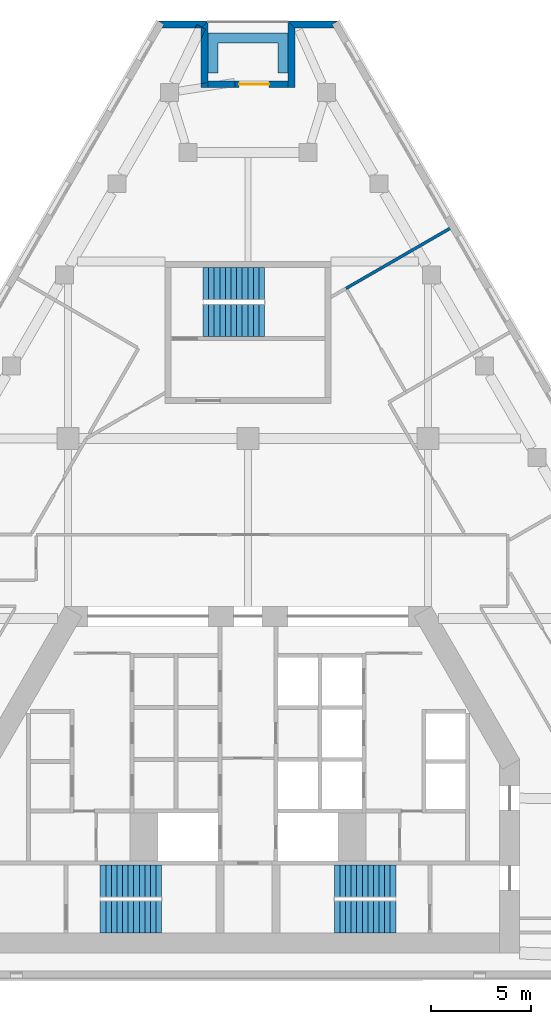
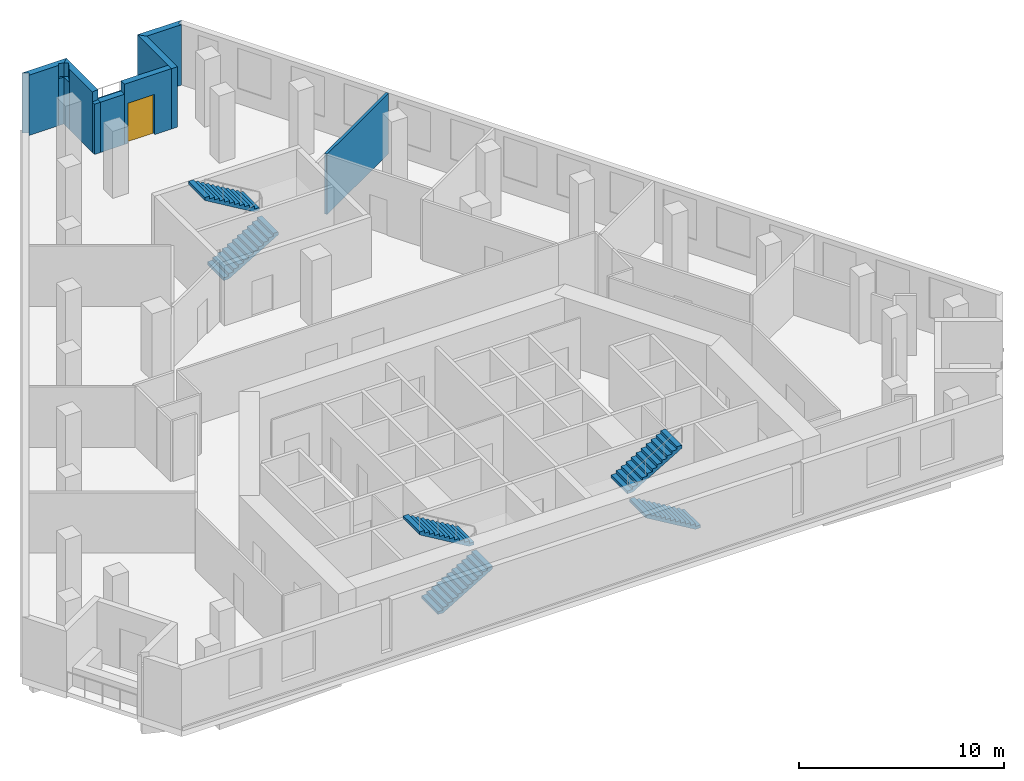
# One storey, part 8 of 9: 11 walls, 6 stair flights, 1 door, 1 opening, 3 elements without a shape of their own.
"""IFC4 building model written with IfcOpenShell, lengths in metres."""

from ifc_helpers import new_model, si_unit, direction, frame, frame_2d, origin, place, context, subcontext, project, spatial, polyline, rectangle, outline, extrude, material, layer, layer_set, type_object, element, fill, aggregate, save


model = new_model("IFC4")

# Units and contexts
model_context = context("Model", 3, precision=1e-05, world=origin(), true_north=direction((0.0, 1.0)))
body_context = subcontext(model_context, "Body", "Model", "MODEL_VIEW")
ifc_project = project(units=[si_unit("LENGTHUNIT", "METRE"), si_unit("AREAUNIT", "SQUARE_METRE"), si_unit("VOLUMEUNIT", "CUBIC_METRE"), si_unit("PLANEANGLEUNIT", "RADIAN"), si_unit("MASSUNIT", "GRAM", prefix="KILO")], contexts=[model_context])

# Site, building, storey
site_placement = place(None, origin())
site = spatial("IfcSite", under=ifc_project, at=site_placement, CompositionType="ELEMENT")
building_placement = place(site_placement, origin())
building = spatial("IfcBuilding", under=site, at=building_placement, Name="Fogline Exchange Tower", CompositionType="ELEMENT")
storey_placement = place(building_placement, frame((0.0, 0.0, 194.10009765625)))
storey = spatial("IfcBuildingStorey", under=building, at=storey_placement, Name="L43", CompositionType="ELEMENT", Elevation=194.10009765625)

# Walls
ifc_material_1 = material(Name="Brick masonry", Category="masonry")
ifc_layer_1 = layer(ifc_material_1, 0.340087890625)
ifc_layer_set_1 = layer_set([ifc_layer_1], Name="FW1")
wall_type_1 = type_object("IfcWallType", Name="FW1", PredefinedType="SOLIDWALL", material=ifc_layer_set_1)
wall_1_placement = place(storey_placement, origin())
element("IfcWall", 1, at=wall_1_placement, inside=storey, type_object=wall_type_1, Name="Brick wall L43 N-c1", PredefinedType="SOLIDWALL", context=body_context, shape_type="SweptSolid", body=[
    extrude(outline(polyline([(1.9990234375, 47.9072265625), (4.5009765625, 47.9072265625), (4.501220703125, 47.90673828125), (4.206298828125, 47.736328125), (4.3046875, 47.566162109375), (2.33984375, 47.566162109375), (1.998779296875, 47.906982421875), (1.9990234375, 47.9072265625)])), origin(), (0.0, 0.0, 1.0), 3.599853515625),
])
wall_2_placement = place(storey_placement, origin())
element("IfcWall", 2, at=wall_2_placement, inside=storey, type_object=wall_type_1, Name="Brick wall L43 N-s1", PredefinedType="SOLIDWALL", context=body_context, shape_type="SweptSolid", body=[
    extrude(outline(polyline([(2.340576171875, 44.566162109375), (1.99951171875, 44.566162109375), (1.99951171875, 47.90771484375), (1.999755859375, 47.90771484375), (2.340576171875, 47.56689453125), (2.340576171875, 44.566162109375)])), origin(), (0.0, 0.0, 1.0), 3.599853515625),
])

# Wall, opening, door
wall_3_placement = place(storey_placement, frame((2.0, 44.736572265625, 0.0), z_axis=(0.0, 0.0, 1.0), x_axis=(-1.0, 0.0, 0.0)))
wall_3 = element("IfcWall", 3, at=wall_3_placement, inside=storey, type_object=wall_type_1, Name="Brick wall L43 N-bk", PredefinedType="SOLIDWALL", context=body_context, shape_type="SweptSolid", body=[
    extrude(rectangle(XDim=2.64892578125, YDim=0.340087890625, at=frame_2d((1.324462890625, 0.0))), origin(), (0.0, 0.0, 1.0), 3.599853515625),
])
opening_placement = place(wall_3_placement, frame((0.948974609375, 0.0, 0.0)))
opening = element("IfcOpeningElement", 4, at=opening_placement, cuts=wall_3, Name="Opening T14-E141", PredefinedType="OPENING", context=body_context, shape_type="SweptSolid", body=[
    extrude(rectangle(XDim=1.5, YDim=2.39990234375, at=frame_2d((0.75, 1.199951171875))), frame((0.0, 0.18017578125, 0.0), z_axis=(0.0, -1.0, 0.0), x_axis=(1.0, 0.0, 0.0)), (0.0, 0.0, 1.0), 0.360107421875),
])
ifc_material_2 = material(Name="Aluminium and glass", Category="aluminium")
door_type = type_object("IfcDoorType", Name="ED4", OperationType="SINGLE_SWING_LEFT", PredefinedType="DOOR", material=ifc_material_2)
door_placement = place(opening_placement, frame((1.5, 0.0, 0.0), z_axis=(0.0, 0.0, 1.0), x_axis=(-1.0, 0.0, 0.0)))
door = element("IfcDoor", 5, at=door_placement, inside=storey, type_object=door_type, Name="Balcony door L43 N", OperationType="DOUBLE_DOOR_SINGLE_SWING", OverallHeight=2.39990234375, OverallWidth=1.5, PredefinedType="DOOR", context=body_context, shape_type="SweptSolid", body=[
    extrude(rectangle(XDim=1.5, YDim=2.39990234375, at=frame_2d((0.75, 1.199951171875))), frame((0.0, 0.02490234375, 0.0), z_axis=(0.0, -1.0, 0.0), x_axis=(1.0, 0.0, 0.0)), (0.0, 0.0, 1.0), 0.050048828125),
])
fill(opening, door)

# Walls
wall_4_placement = place(storey_placement, frame((-0.64892578125, 44.736572265625, 0.0), z_axis=(0.0, 0.0, 1.0), x_axis=(-1.0, 0.0, 0.0)))
element("IfcWall", 6, at=wall_4_placement, inside=storey, type_object=wall_type_1, Name="Brick wall L43 N-bk", PredefinedType="SOLIDWALL", context=body_context, shape_type="SweptSolid", body=[
    extrude(rectangle(XDim=1.35107421875, YDim=0.340087890625, at=frame_2d((0.675537109375, 0.0))), origin(), (0.0, 0.0, 1.0), 3.0),
])
wall_5_placement = place(storey_placement, origin())
element("IfcWall", 7, at=wall_5_placement, inside=storey, type_object=wall_type_1, Name="Brick wall L43 N-s2", PredefinedType="SOLIDWALL", context=body_context, shape_type="SweptSolid", body=[
    extrude(outline(polyline([(-2.340576171875, 47.56689453125), (-2.31005859375, 47.597412109375), (-2.11474609375, 47.503173828125), (-2.340576171875, 47.03466796875), (-2.340576171875, 47.56689453125)])), origin(), (0.0, 0.0, 1.0), 2.7998046875),
])
wall_6_placement = place(storey_placement, origin())
element("IfcWall", 8, at=wall_6_placement, inside=storey, type_object=wall_type_1, Name="Brick wall L43 N-s2", PredefinedType="SOLIDWALL", context=body_context, shape_type="SweptSolid", body=[
    extrude(outline(polyline([(-2.340576171875, 44.566162109375), (-2.340576171875, 44.774658203125), (-1.99951171875, 44.82763671875), (-1.99951171875, 44.566162109375), (-2.340576171875, 44.566162109375)])), origin(), (0.0, 0.0, 1.0), 3.0),
])
wall_7_placement = place(storey_placement, origin())
element("IfcWall", 9, at=wall_7_placement, inside=storey, type_object=wall_type_1, Name="Brick wall L43 N-s2", PredefinedType="SOLIDWALL", context=body_context, shape_type="SweptSolid", body=[
    extrude(outline(polyline([(-2.340576171875, 47.03466796875), (-2.11474609375, 47.503173828125), (-2.31005859375, 47.597412109375), (-1.999755859375, 47.90771484375), (-1.99951171875, 47.90771484375), (-1.99951171875, 44.82763671875), (-2.340576171875, 44.774658203125), (-2.340576171875, 47.03466796875)])), origin(), (0.0, 0.0, 1.0), 3.599853515625),
])
wall_8_placement = place(storey_placement, origin())
element("IfcWall", 10, at=wall_8_placement, inside=storey, type_object=wall_type_1, Name="Brick wall L43 N-c2", PredefinedType="SOLIDWALL", context=body_context, shape_type="SweptSolid", body=[
    extrude(outline(polyline([(-2.33984375, 47.566162109375), (-2.6396484375, 47.566162109375), (-2.565185546875, 47.72021484375), (-2.30908203125, 47.596923828125), (-2.33984375, 47.566162109375)])), origin(), (0.0, 0.0, 1.0), 2.7998046875),
])
wall_9_placement = place(storey_placement, origin())
element("IfcWall", 11, at=wall_9_placement, inside=storey, type_object=wall_type_1, Name="Brick wall L43 N-c2", PredefinedType="SOLIDWALL", context=body_context, shape_type="SweptSolid", body=[
    extrude(outline(polyline([(-4.206298828125, 47.736328125), (-4.501220703125, 47.90673828125), (-4.5009765625, 47.9072265625), (-1.9990234375, 47.9072265625), (-1.998779296875, 47.906982421875), (-2.30908203125, 47.596923828125), (-2.565185546875, 47.72021484375), (-2.6396484375, 47.566162109375), (-4.3046875, 47.566162109375), (-4.206298828125, 47.736328125)])), origin(), (0.0, 0.0, 1.0), 3.599853515625),
])
ifc_material_3 = material(Name="Concrete C30", Category="concrete")
ifc_layer_2 = layer(ifc_material_3, 0.199951171875)
ifc_layer_set_2 = layer_set([ifc_layer_2], Name="PL1")
wall_type_2 = type_object("IfcWallType", Name="PL1", PredefinedType="USERDEFINED", material=ifc_layer_set_2)
wall_10_placement = place(storey_placement, origin())
element("IfcWall", 12, at=wall_10_placement, inside=storey, type_object=wall_type_2, Name="PLANTER balcony L43 N", ObjectType="PLANTER", PredefinedType="USERDEFINED", context=body_context, shape_type="SweptSolid", body=[
    extrude(outline(polyline([(-1.5, 47.306640625), (-2.0, 47.306640625), (-2.0, 46.806640625), (-2.0, 45.306640625), (-1.5, 45.306640625), (-1.5, 46.806640625), (1.5, 46.806640625), (1.5, 45.306640625), (2.0, 45.306640625), (2.0, 46.806640625), (2.0, 47.306640625), (1.5, 47.306640625), (-1.5, 47.306640625)])), origin(), (0.0, 0.0, 1.0), 1.099853515625),
])
ifc_material_4 = material(Name="Plasterboard demising partition with mineral wool and acoustic board")
ifc_layer_3 = layer(ifc_material_4, 0.14990234375)
ifc_layer_set_3 = layer_set([ifc_layer_3], Name="PW3")
wall_type_3 = type_object("IfcWallType", Name="PW3", PredefinedType="PARTITIONING", material=ifc_layer_set_3)
wall_11_placement = place(storey_placement, frame((4.9072265625, 34.52099609375, 0.0), z_axis=(0.0, 0.0, 1.0), x_axis=(0.866031096941, 0.499990139034, 0.0)))
element("IfcWall", 13, at=wall_11_placement, inside=storey, type_object=wall_type_3, Name="wall-L43-W026", PredefinedType="PARTITIONING", context=body_context, shape_type="SweptSolid", body=[
    extrude(rectangle(XDim=6.0, YDim=0.14990234375, at=frame_2d((3.0, 0.0))), origin(), (0.0, 0.0, 1.0), 3.599853515625),
])

# Stair, stair flights
ifc_material_5 = material(Name="Concrete C40", Category="concrete")
stair_type = type_object("IfcStairType", Name="STR24-1667", PredefinedType="HALF_TURN_STAIR", material=ifc_material_5)
stair_1_placement = place(storey_placement, origin())
stair_1 = element("IfcStair", 14, at=stair_1_placement, inside=storey, type_object=stair_type, Name="Stair ST1", PredefinedType="HALF_TURN_STAIR")
stair_flight_type = type_object("IfcStairFlightType", Name="SF12-1667", PredefinedType="STRAIGHT", material=ifc_material_5)
stair_flight_1_placement = place(storey_placement, frame((-7.39990234375, 3.050048828125, 0.0), z_axis=(0.0, 0.0, 1.0), x_axis=(1.0, 0.0, 0.0)))
stair_flight_1 = element("IfcStairFlight", 15, at=stair_flight_1_placement, type_object=stair_flight_type, Name="ST1 flight 1", NumberOfRisers=12, NumberOfTreads=11, PredefinedType="STRAIGHT", RiserHeight=0.166666667, TreadLength=0.28, context=body_context, shape_type="SweptSolid", body=[
    extrude(outline(polyline([(0.0, 0.0), (0.0, 0.166748046875), (0.280029296875, 0.166748046875), (0.280029296875, 0.333251953125), (0.56005859375, 0.333251953125), (0.56005859375, 0.5), (0.840087890625, 0.5), (0.840087890625, 0.666748046875), (1.1201171875, 0.666748046875), (1.1201171875, 0.833251953125), (1.39990234375, 0.833251953125), (1.39990234375, 1.0), (1.679931640625, 1.0), (1.679931640625, 1.166748046875), (1.9599609375, 1.166748046875), (1.9599609375, 1.333251953125), (2.239990234375, 1.333251953125), (2.239990234375, 1.5), (2.52001953125, 1.5), (2.52001953125, 1.666748046875), (2.800048828125, 1.666748046875), (2.800048828125, 1.833251953125), (3.080078125, 1.833251953125), (3.080078125, 2.0), (3.080078125, 1.658935546875), (0.29296875, 0.0), (0.0, 0.0)])), frame((0.0, 0.800048828125, 0.0), z_axis=(0.0, -1.0, 0.0), x_axis=(1.0, 0.0, 0.0)), (0.0, 0.0, 1.0), 1.60009765625),
])
stair_flight_2_placement = place(storey_placement, frame((-4.320068359375, 4.85009765625, 2.0), z_axis=(0.0, 0.0, 1.0), x_axis=(-1.0, 0.0, 0.0)))
stair_flight_2 = element("IfcStairFlight", 16, at=stair_flight_2_placement, type_object=stair_flight_type, Name="ST1 flight 2", NumberOfRisers=12, NumberOfTreads=11, PredefinedType="STRAIGHT", RiserHeight=0.166666667, TreadLength=0.28, context=body_context, shape_type="SweptSolid", body=[
    extrude(outline(polyline([(0.0, 0.0), (0.0, 0.166748046875), (0.280029296875, 0.166748046875), (0.280029296875, 0.333251953125), (0.56005859375, 0.333251953125), (0.56005859375, 0.5), (0.840087890625, 0.5), (0.840087890625, 0.666748046875), (1.1201171875, 0.666748046875), (1.1201171875, 0.833251953125), (1.39990234375, 0.833251953125), (1.39990234375, 1.0), (1.679931640625, 1.0), (1.679931640625, 1.166748046875), (1.9599609375, 1.166748046875), (1.9599609375, 1.333251953125), (2.239990234375, 1.333251953125), (2.239990234375, 1.5), (2.52001953125, 1.5), (2.52001953125, 1.666748046875), (2.800048828125, 1.666748046875), (2.800048828125, 1.833251953125), (3.080078125, 1.833251953125), (3.080078125, 2.0), (3.080078125, 1.658935546875), (0.29296875, 0.0), (0.0, 0.0)])), frame((0.0, 0.800048828125, 0.0), z_axis=(0.0, -1.0, 0.0), x_axis=(1.0, 0.0, 0.0)), (0.0, 0.0, 1.0), 1.60009765625),
])
aggregate(stair_1, [stair_flight_1, stair_flight_2])

stair_2_placement = place(storey_placement, origin())
stair_2 = element("IfcStair", 17, at=stair_2_placement, inside=storey, type_object=stair_type, Name="Stair ST2", PredefinedType="HALF_TURN_STAIR")
stair_flight_3_placement = place(storey_placement, frame((7.39990234375, 3.050048828125, 0.0), z_axis=(0.0, 0.0, 1.0), x_axis=(-1.0, 0.0, 0.0)))
stair_flight_3 = element("IfcStairFlight", 18, at=stair_flight_3_placement, type_object=stair_flight_type, Name="ST2 flight 1", NumberOfRisers=12, NumberOfTreads=11, PredefinedType="STRAIGHT", RiserHeight=0.166666667, TreadLength=0.28, context=body_context, shape_type="SweptSolid", body=[
    extrude(outline(polyline([(0.0, 0.0), (0.0, 0.166748046875), (0.280029296875, 0.166748046875), (0.280029296875, 0.333251953125), (0.56005859375, 0.333251953125), (0.56005859375, 0.5), (0.840087890625, 0.5), (0.840087890625, 0.666748046875), (1.1201171875, 0.666748046875), (1.1201171875, 0.833251953125), (1.39990234375, 0.833251953125), (1.39990234375, 1.0), (1.679931640625, 1.0), (1.679931640625, 1.166748046875), (1.9599609375, 1.166748046875), (1.9599609375, 1.333251953125), (2.239990234375, 1.333251953125), (2.239990234375, 1.5), (2.52001953125, 1.5), (2.52001953125, 1.666748046875), (2.800048828125, 1.666748046875), (2.800048828125, 1.833251953125), (3.080078125, 1.833251953125), (3.080078125, 2.0), (3.080078125, 1.658935546875), (0.29296875, 0.0), (0.0, 0.0)])), frame((0.0, 0.800048828125, 0.0), z_axis=(0.0, -1.0, 0.0), x_axis=(1.0, 0.0, 0.0)), (0.0, 0.0, 1.0), 1.60009765625),
])
stair_flight_4_placement = place(storey_placement, frame((4.320068359375, 4.85009765625, 2.0), z_axis=(0.0, 0.0, 1.0), x_axis=(1.0, 0.0, 0.0)))
stair_flight_4 = element("IfcStairFlight", 19, at=stair_flight_4_placement, type_object=stair_flight_type, Name="ST2 flight 2", NumberOfRisers=12, NumberOfTreads=11, PredefinedType="STRAIGHT", RiserHeight=0.166666667, TreadLength=0.28, context=body_context, shape_type="SweptSolid", body=[
    extrude(outline(polyline([(0.0, 0.0), (0.0, 0.166748046875), (0.280029296875, 0.166748046875), (0.280029296875, 0.333251953125), (0.56005859375, 0.333251953125), (0.56005859375, 0.5), (0.840087890625, 0.5), (0.840087890625, 0.666748046875), (1.1201171875, 0.666748046875), (1.1201171875, 0.833251953125), (1.39990234375, 0.833251953125), (1.39990234375, 1.0), (1.679931640625, 1.0), (1.679931640625, 1.166748046875), (1.9599609375, 1.166748046875), (1.9599609375, 1.333251953125), (2.239990234375, 1.333251953125), (2.239990234375, 1.5), (2.52001953125, 1.5), (2.52001953125, 1.666748046875), (2.800048828125, 1.666748046875), (2.800048828125, 1.833251953125), (3.080078125, 1.833251953125), (3.080078125, 2.0), (3.080078125, 1.658935546875), (0.29296875, 0.0), (0.0, 0.0)])), frame((0.0, 0.800048828125, 0.0), z_axis=(0.0, -1.0, 0.0), x_axis=(1.0, 0.0, 0.0)), (0.0, 0.0, 1.0), 1.60009765625),
])
aggregate(stair_2, [stair_flight_3, stair_flight_4])

stair_3_placement = place(storey_placement, origin())
stair_3 = element("IfcStair", 20, at=stair_3_placement, inside=storey, type_object=stair_type, Name="Stair ST3", PredefinedType="HALF_TURN_STAIR")
stair_flight_5_placement = place(storey_placement, frame((-2.25, 32.906982421875, 0.0), z_axis=(0.0, 0.0, 1.0), x_axis=(1.0, 0.0, 0.0)))
stair_flight_5 = element("IfcStairFlight", 21, at=stair_flight_5_placement, type_object=stair_flight_type, Name="ST3 flight 1", NumberOfRisers=12, NumberOfTreads=11, PredefinedType="STRAIGHT", RiserHeight=0.166666667, TreadLength=0.28, context=body_context, shape_type="SweptSolid", body=[
    extrude(outline(polyline([(0.0, 0.0), (0.0, 0.166748046875), (0.280029296875, 0.166748046875), (0.280029296875, 0.333251953125), (0.56005859375, 0.333251953125), (0.56005859375, 0.5), (0.840087890625, 0.5), (0.840087890625, 0.666748046875), (1.1201171875, 0.666748046875), (1.1201171875, 0.833251953125), (1.39990234375, 0.833251953125), (1.39990234375, 1.0), (1.679931640625, 1.0), (1.679931640625, 1.166748046875), (1.9599609375, 1.166748046875), (1.9599609375, 1.333251953125), (2.239990234375, 1.333251953125), (2.239990234375, 1.5), (2.52001953125, 1.5), (2.52001953125, 1.666748046875), (2.800048828125, 1.666748046875), (2.800048828125, 1.833251953125), (3.080078125, 1.833251953125), (3.080078125, 2.0), (3.080078125, 1.658935546875), (0.29296875, 0.0), (0.0, 0.0)])), frame((0.0, 0.800048828125, 0.0), z_axis=(0.0, -1.0, 0.0), x_axis=(1.0, 0.0, 0.0)), (0.0, 0.0, 1.0), 1.60009765625),
])
stair_flight_6_placement = place(storey_placement, frame((0.830078125, 34.757080078125, 2.0), z_axis=(0.0, 0.0, 1.0), x_axis=(-1.0, 0.0, 0.0)))
stair_flight_6 = element("IfcStairFlight", 22, at=stair_flight_6_placement, type_object=stair_flight_type, Name="ST3 flight 2", NumberOfRisers=12, NumberOfTreads=11, PredefinedType="STRAIGHT", RiserHeight=0.166666667, TreadLength=0.28, context=body_context, shape_type="SweptSolid", body=[
    extrude(outline(polyline([(0.0, 0.0), (0.0, 0.166748046875), (0.280029296875, 0.166748046875), (0.280029296875, 0.333251953125), (0.56005859375, 0.333251953125), (0.56005859375, 0.5), (0.840087890625, 0.5), (0.840087890625, 0.666748046875), (1.1201171875, 0.666748046875), (1.1201171875, 0.833251953125), (1.39990234375, 0.833251953125), (1.39990234375, 1.0), (1.679931640625, 1.0), (1.679931640625, 1.166748046875), (1.9599609375, 1.166748046875), (1.9599609375, 1.333251953125), (2.239990234375, 1.333251953125), (2.239990234375, 1.5), (2.52001953125, 1.5), (2.52001953125, 1.666748046875), (2.800048828125, 1.666748046875), (2.800048828125, 1.833251953125), (3.080078125, 1.833251953125), (3.080078125, 2.0), (3.080078125, 1.658935546875), (0.29296875, 0.0), (0.0, 0.0)])), frame((0.0, 0.800048828125, 0.0), z_axis=(0.0, -1.0, 0.0), x_axis=(1.0, 0.0, 0.0)), (0.0, 0.0, 1.0), 1.60009765625),
])
aggregate(stair_3, [stair_flight_5, stair_flight_6])

save(model, "model.ifc")
